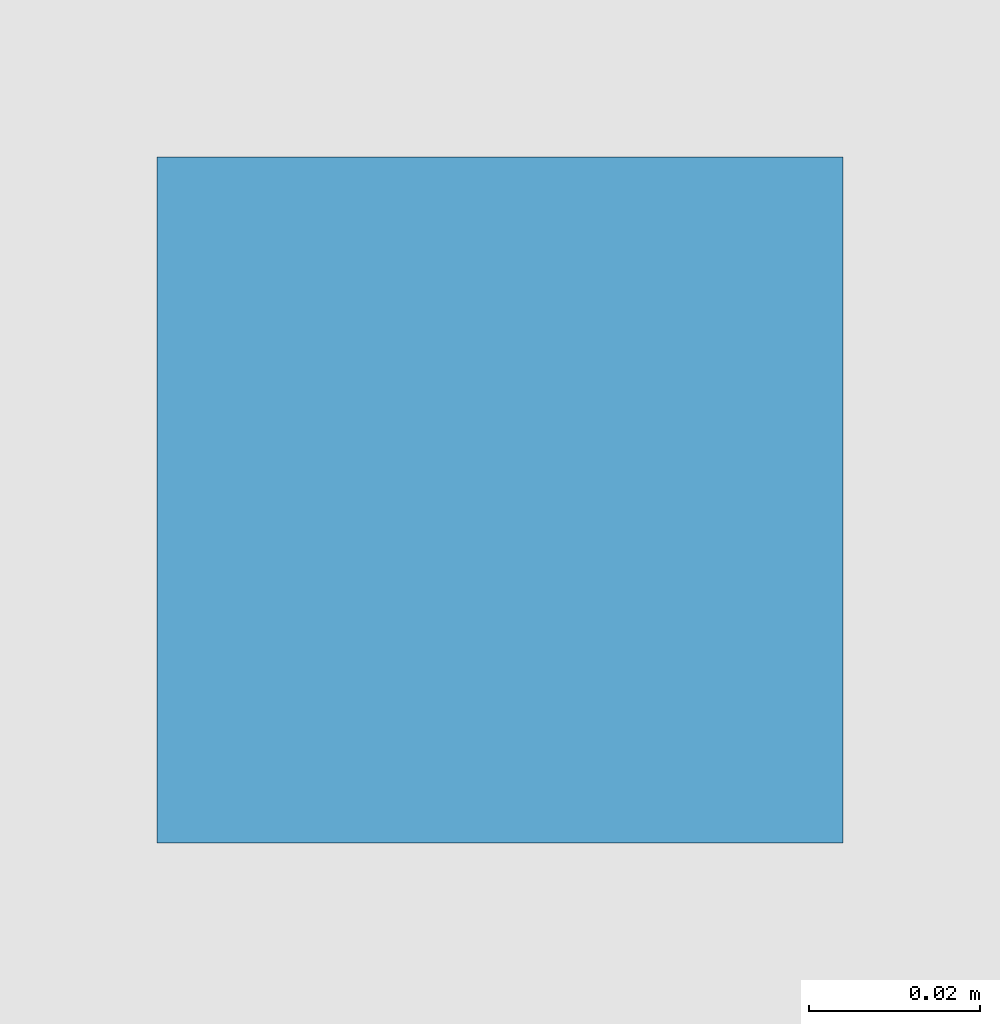
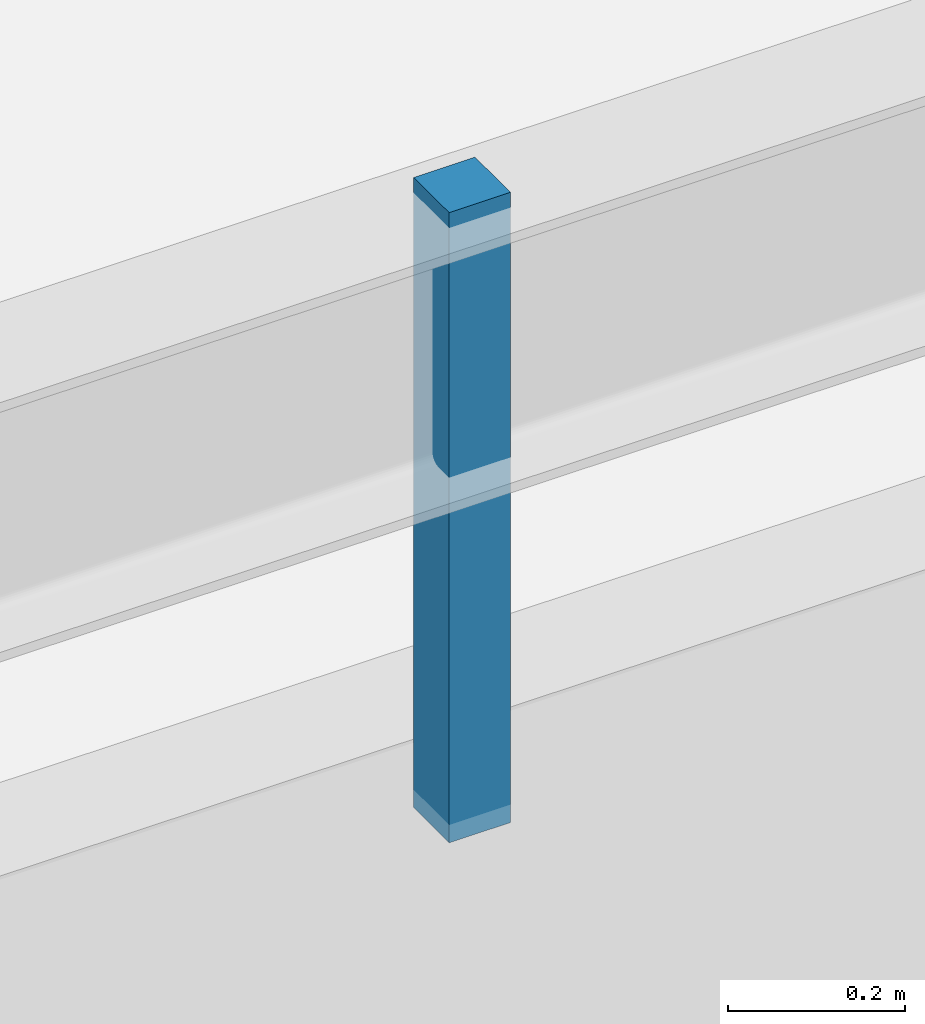
# One storey, part 95 of 111: 1 discrete accessory.
"""IFC4 building model written with IfcOpenShell, lengths in metres."""

from ifc_helpers import new_model, si_unit, direction, frame, origin, origin_2d, place, context, subcontext, project, spatial, rectangle, extrude, material, type_object, element, save


model = new_model("IFC4")

# Units and contexts
model_context = context("Model", 3, precision=1e-05, world=origin(), true_north=direction((0.0, 1.0)))
body_context = subcontext(model_context, "Body", "Model", "MODEL_VIEW")
ifc_project = project(units=[si_unit("LENGTHUNIT", "METRE"), si_unit("AREAUNIT", "SQUARE_METRE"), si_unit("VOLUMEUNIT", "CUBIC_METRE"), si_unit("PLANEANGLEUNIT", "RADIAN"), si_unit("MASSUNIT", "GRAM", prefix="KILO")], contexts=[model_context])

# Site, building, storey
site_placement = place(None, origin())
site = spatial("IfcSite", under=ifc_project, at=site_placement, CompositionType="ELEMENT")
building_placement = place(site_placement, origin())
building = spatial("IfcBuilding", under=site, at=building_placement, Name="Solmirada Galleria", CompositionType="ELEMENT")
storey_placement = place(building_placement, frame((0.0, 0.0, 10.39990234375)))
storey = spatial("IfcBuildingStorey", under=building, at=storey_placement, Name="L02", CompositionType="ELEMENT", Elevation=10.39990234375)

# Discrete accessory
ifc_material = material(Name="Steel S355 / ASTM A992 Grade 50", Category="steel")
discrete_accessory_type = type_object("IfcDiscreteAccessoryType", Name="ACC-CEIL-HANGER", PredefinedType="BRACKET", material=ifc_material)
discrete_accessory_placement = place(storey_placement, frame((52.0, 100.0, 3.449951171875), z_axis=(0.0, 0.0, 1.0), x_axis=(1.0, 0.0, 0.0)))
element("IfcDiscreteAccessory", 1, at=discrete_accessory_placement, inside=storey, type_object=discrete_accessory_type, Name="Ceiling suspension hanger L02-1", PredefinedType="BRACKET", context=body_context, shape_type="SweptSolid", body=[
    extrude(rectangle(XDim=0.080078125, YDim=0.080078125, at=origin_2d()), origin(), (0.0, 0.0, 1.0), 0.8701171875),
])

save(model, "model.ifc")
